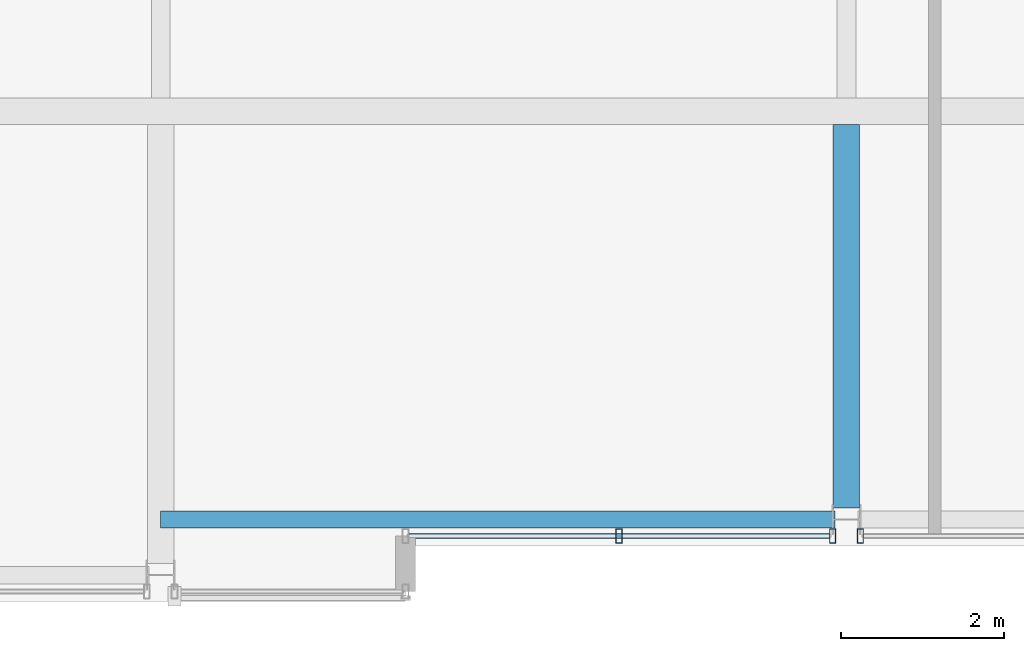
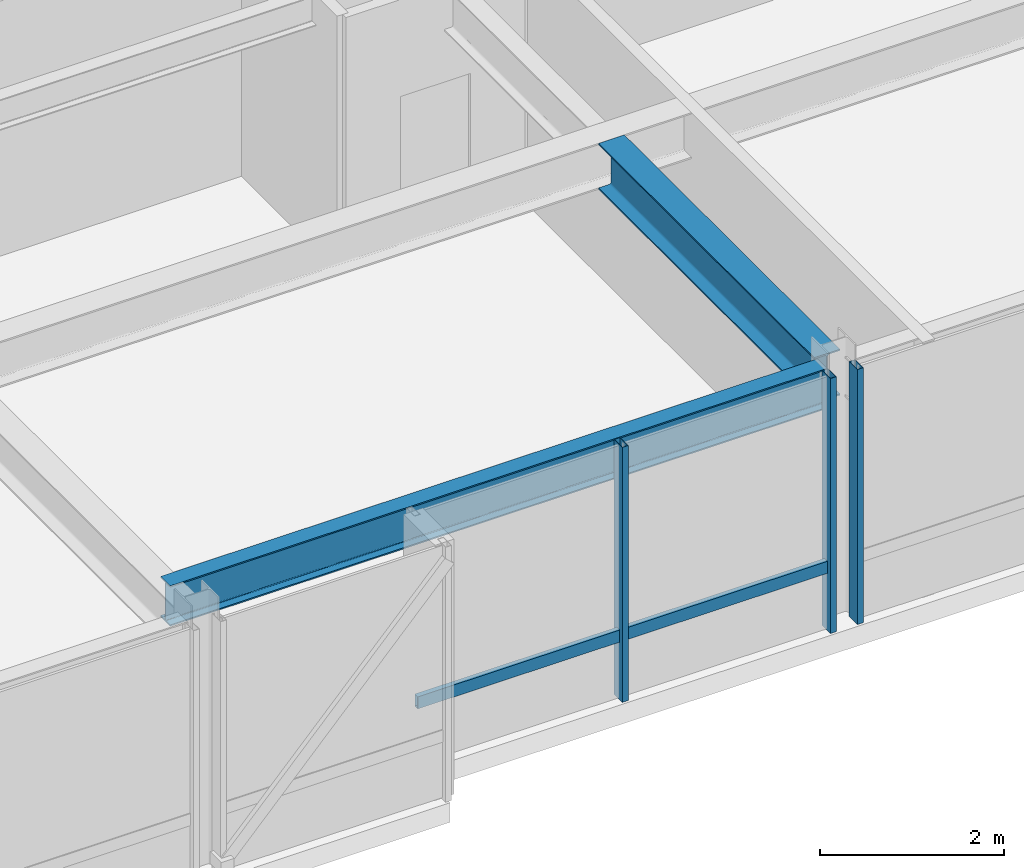
# One storey, part 7 of 33: 4 members, 2 beams, 2 elements without a shape of their own.
"""IFC4 building model written with IfcOpenShell, lengths in metres."""

import ifcopenshell
import ifcopenshell.guid

model = None  # the IFC model being written
_history = None  # IfcOwnerHistory: only IFC2X3 demands one
_inside = {}  # id of a spatial element -> (the spatial element, [elements in it])
_under = {}  # id of a project, library or spatial element -> (it, [spatial elements below it])
_declared = {}  # id of a project -> (the project, [libraries it declares])
_typed = {}  # id of a type object -> (the type object, [elements of that type])
_made_of = {}  # id of a material, layer set ... -> (it, [elements and type objects made of it])


def new_model(schema):
    """Start an empty IFC model of exactly this schema.

    Asked for "IFC4X3", IfcOpenShell would pick the latest addendum, in which some entities
    have other attributes; the version numbers below select the first issue.
    IFC2X3 requires an IfcOwnerHistory on every rooted entity: one is made here for all.
    """
    global model, _history
    if schema == "IFC4X3":
        model = ifcopenshell.file(schema_version=(4, 3, 0, 0))
    else:
        model = ifcopenshell.file(schema=schema)
    _inside.clear()
    _under.clear()
    _declared.clear()
    _typed.clear()
    _made_of.clear()
    _history = None
    if model.schema == "IFC2X3":
        org = make("IfcOrganization", Name="unknown")
        user = make(
            "IfcPersonAndOrganization",
            ThePerson=make("IfcPerson", FamilyName="unknown"),
            TheOrganization=org,
        )
        app = make(
            "IfcApplication",
            ApplicationDeveloper=org,
            Version="unknown",
            ApplicationFullName="unknown",
            ApplicationIdentifier="unknown",
        )
        _history = make(
            "IfcOwnerHistory",
            OwningUser=user,
            OwningApplication=app,
            ChangeAction="ADDED",
            CreationDate=0,
        )
    return model


def make(cls, **values):
    """One entity of the class cls with the attributes given. An attribute that is None is left unset."""
    return model.create_entity(
        cls, **{name: value for name, value in values.items() if value is not None}
    )


def rooted(cls, **values):
    """An entity with a GlobalId (a new one), such as an element, a storey or a relation."""
    return make(cls, GlobalId=ifcopenshell.guid.new(), OwnerHistory=_history, **values)


def si_unit(unit_type, name, prefix=None):
    """IfcSIUnit, for example si_unit("LENGTHUNIT", "METRE", prefix="MILLI")."""
    return make("IfcSIUnit", UnitType=unit_type, Prefix=prefix, Name=name)


def assignment(units):
    """IfcUnitAssignment: the units of a project."""
    return None if units is None else make("IfcUnitAssignment", Units=units)


def point(xyz):
    """IfcCartesianPoint."""
    return None if xyz is None else make("IfcCartesianPoint", Coordinates=xyz)


def direction(xyz):
    """IfcDirection."""
    return None if xyz is None else make("IfcDirection", DirectionRatios=xyz)


def frame(location, z_axis=None, x_axis=None):
    """IfcAxis2Placement3D, a coordinate frame: its origin and axes. An axis left out is left unset."""
    return make(
        "IfcAxis2Placement3D",
        Location=point(location),
        Axis=direction(z_axis),
        RefDirection=direction(x_axis),
    )


def frame_2d(location, x_axis=None):
    """IfcAxis2Placement2D, a coordinate frame in the plane: its origin and x axis."""
    return make(
        "IfcAxis2Placement2D", Location=point(location), RefDirection=direction(x_axis)
    )


def origin():
    """The frame at (0, 0, 0) with its axes left unset."""
    return frame((0.0, 0.0, 0.0))


def origin_2d():
    """The frame at (0, 0) in the plane with its x axis left unset."""
    return frame_2d((0.0, 0.0))


def place(relative_to, where):
    """IfcLocalPlacement: puts the frame where relative to a parent placement (None: the world)."""
    return make(
        "IfcLocalPlacement", PlacementRelTo=relative_to, RelativePlacement=where
    )


def context(
    kind, dimensions, precision=None, world=None, true_north=None, identifier=None
):
    """IfcGeometricRepresentationContext, for example the 3D "Model" context."""
    return make(
        "IfcGeometricRepresentationContext",
        ContextIdentifier=identifier,
        ContextType=kind,
        CoordinateSpaceDimension=dimensions,
        Precision=precision,
        WorldCoordinateSystem=world,
        TrueNorth=true_north,
    )


def subcontext(parent, identifier, kind, view, scale=None):
    """IfcGeometricRepresentationSubContext, for example "Body" below "Model"."""
    return make(
        "IfcGeometricRepresentationSubContext",
        ContextIdentifier=identifier,
        ContextType=kind,
        ParentContext=parent,
        TargetScale=scale,
        TargetView=view,
    )


def project(units=None, contexts=None):
    """IfcProject with its units and contexts."""
    return rooted(
        "IfcProject",
        Name="project",
        RepresentationContexts=contexts,
        UnitsInContext=assignment(units),
    )


def spatial(cls, under=None, at=None, **own):
    """A site, building, storey or space (cls), placed at a placement, below another one or the project."""
    s = rooted(cls, ObjectPlacement=at, **own)
    if under is not None:
        _under.setdefault(under.id(), (under, []))[1].append(s)
    return s


def profile(cls, at=None, kind="AREA", **sizes):
    """A parametric profile (cls). Its sizes go by their IFC names, for example OverallWidth=200.0."""
    return make(cls, ProfileType=kind, Position=at, **sizes)


def hollow_rectangle(**sizes):
    """IfcRectangleHollowProfileDef."""
    return profile("IfcRectangleHollowProfileDef", **sizes)


def i_section(**sizes):
    """IfcIShapeProfileDef."""
    return profile("IfcIShapeProfileDef", **sizes)


def extrude(swept, where, along, depth):
    """IfcExtrudedAreaSolid: the profile swept, set in the frame where, extruded along a direction by depth."""
    return make(
        "IfcExtrudedAreaSolid",
        SweptArea=swept,
        Position=where,
        ExtrudedDirection=direction(along),
        Depth=depth,
    )


def shape(context_of_items, identifier, shape_type, items):
    """IfcShapeRepresentation: the items that make up one representation, for example the "Body"."""
    return make(
        "IfcShapeRepresentation",
        ContextOfItems=context_of_items,
        RepresentationIdentifier=identifier,
        RepresentationType=shape_type,
        Items=items,
    )


def material(Name=None, Category=None):
    """IfcMaterial."""
    return make("IfcMaterial", Name=Name, Category=Category)


def layer(
    of_material, thickness, ventilated=None, Name=None, Category=None, Priority=None
):
    """IfcMaterialLayer: one layer of a wall or slab, of a material (None: an air gap)."""
    return make(
        "IfcMaterialLayer",
        Material=of_material,
        LayerThickness=thickness,
        IsVentilated=ventilated,
        Name=Name,
        Category=Category,
        Priority=Priority,
    )


def layer_set(layers, Name=None):
    """IfcMaterialLayerSet."""
    return make("IfcMaterialLayerSet", MaterialLayers=layers, LayerSetName=Name)


def material_profile(
    of_material, cross_section, Name=None, Category=None, Priority=None
):
    """IfcMaterialProfile: a cross section and its material."""
    return make(
        "IfcMaterialProfile",
        Name=Name,
        Material=of_material,
        Profile=cross_section,
        Priority=Priority,
        Category=Category,
    )


def profile_set(profiles, Name=None, composite=None):
    """IfcMaterialProfileSet."""
    return make(
        "IfcMaterialProfileSet",
        Name=Name,
        MaterialProfiles=profiles,
        CompositeProfile=composite,
    )


def made_of(thing, what):
    """Note that an element or type object is made of a material, layer set ...; save() writes the relation."""
    if what is not None:
        _made_of.setdefault(what.id(), (what, []))[1].append(thing)
    return thing


def type_object(cls, material=None, **own):
    """A type object (cls), such as IfcWallType, which elements share."""
    return made_of(rooted(cls, **own), material)


def element(
    cls,
    number,
    at=None,
    inside=None,
    cuts=None,
    type_object=None,
    material=None,
    context=None,
    identifier="Body",
    shape_type=None,
    held_by="IfcProductDefinitionShape",
    body=None,
    shapes=None,
    **own,
):
    """One element of the class cls, such as IfcWall. Its Tag is "e" and its number.

    at: its placement. inside: the storey or other place that contains it. cuts: it is an
    opening in that element (IfcRelVoidsElement). A single representation is given by context,
    identifier, shape_type and body (its items); several are given by shapes. held_by: the class
    of the entity that holds the representations. save() writes the other relations.
    """
    e = rooted(cls, Tag="e%d" % number, ObjectPlacement=at, **own)
    if body is not None:
        shapes = [shape(context, identifier, shape_type, body)]
    if shapes is not None:
        e.Representation = make(held_by, Representations=shapes)
    if inside is not None:
        _inside.setdefault(inside.id(), (inside, []))[1].append(e)
    if cuts is not None:
        rooted(
            "IfcRelVoidsElement", RelatingBuildingElement=cuts, RelatedOpeningElement=e
        )
    if type_object is not None:
        _typed.setdefault(type_object.id(), (type_object, []))[1].append(e)
    return made_of(e, material)


def aggregate(whole, parts):
    """IfcRelAggregates: a whole, such as a stair, and the parts it consists of."""
    return rooted("IfcRelAggregates", RelatingObject=whole, RelatedObjects=parts)


def save(model, path):
    """Write the relations noted so far, then the file.

    IfcRelAggregates (storeys below a building ...), IfcRelContainedInSpatialStructure (elements
    in a storey), IfcRelDefinesByType, IfcRelAssociatesMaterial and IfcRelDeclares: one each for
    every whole, place, type object, material and project.
    """
    for whole, parts in _under.values():
        aggregate(whole, parts)
    for where, things in _inside.values():
        rooted(
            "IfcRelContainedInSpatialStructure",
            RelatedElements=things,
            RelatingStructure=where,
        )
    for kind, things in _typed.values():
        rooted("IfcRelDefinesByType", RelatedObjects=things, RelatingType=kind)
    for what, things in _made_of.values():
        rooted("IfcRelAssociatesMaterial", RelatedObjects=things, RelatingMaterial=what)
    for by, libraries in _declared.values():
        rooted("IfcRelDeclares", RelatingContext=by, RelatedDefinitions=libraries)
    model.write(path)


model = new_model("IFC4")

# Units and contexts
model_context = context("Model", 3, precision=1e-05, world=origin(), true_north=direction((0.0, 1.0)))
body_context = subcontext(model_context, "Body", "Model", "MODEL_VIEW")
ifc_project = project(units=[si_unit("LENGTHUNIT", "METRE"), si_unit("AREAUNIT", "SQUARE_METRE"), si_unit("VOLUMEUNIT", "CUBIC_METRE"), si_unit("PLANEANGLEUNIT", "RADIAN"), si_unit("MASSUNIT", "GRAM", prefix="KILO")], contexts=[model_context])

# Site, building, storey
site_placement = place(None, origin())
site = spatial("IfcSite", under=ifc_project, at=site_placement, CompositionType="ELEMENT")
building_placement = place(site_placement, origin())
building = spatial("IfcBuilding", under=site, at=building_placement, Name="Drelvath Grand Hotel", CompositionType="ELEMENT")
storey_placement = place(building_placement, frame((0.0, 0.0, 283.25)))
storey = spatial("IfcBuildingStorey", under=building, at=storey_placement, Name="L74", CompositionType="ELEMENT", Elevation=283.25)

# Curtain wall, members
ifc_material_1 = material(Name="Platinum-Mist Anodised Aluminium Frame", Category="aluminium")
ifc_layer = layer(ifc_material_1, 0.199951171875)
ifc_layer_set = layer_set([ifc_layer], Name="Platinum-Mist Anodised Aluminium Frame")
curtain_wall_type = type_object("IfcCurtainWallType", Name="Stick Curtain Wall CW-05 Platinum Mist High-Rise", PredefinedType="NOTDEFINED", material=ifc_layer_set)
curtain_wall_1_placement = place(storey_placement, origin())
curtain_wall_1 = element("IfcCurtainWall", 1, at=curtain_wall_1_placement, inside=storey, type_object=curtain_wall_type, Name="L74 CW-05 Curtain Wall CW05-L74-SM1", PredefinedType="NOTDEFINED")
ifc_material_profile_1 = material_profile(ifc_material_1, hollow_rectangle(XDim=0.06494140625, YDim=0.159912109375, WallThickness=0.00390625, at=origin_2d()), Name="HSS160X65X4")
ifc_profile_set_1 = profile_set([ifc_material_profile_1], Name="Platinum-Mist Anodised Aluminium Frame")
member_type_1 = type_object("IfcMemberType", Name="Curtain Wall Horizontal Transom CW-05 HSS160X65X4", PredefinedType="USERDEFINED", material=ifc_profile_set_1)
member_1_placement = place(storey_placement, frame((-0.210205078125, 5.60009765625, 0.847412109375), z_axis=(-1.0, 0.0, 0.0), x_axis=(0.0, -1.0, 0.0)))
member_1 = element("IfcMember", 2, at=member_1_placement, type_object=member_type_1, Name="CW05-L74-SM1 Sill Transom", ObjectType="TRANSOM", PredefinedType="USERDEFINED", context=body_context, shape_type="SweptSolid", body=[
    extrude(hollow_rectangle(XDim=0.06494140625, YDim=0.159912109375, WallThickness=0.00390625, at=origin_2d()), origin(), (0.0, 0.0, 1.0), 5.14990234375),
])
ifc_material_profile_2 = material_profile(ifc_material_1, hollow_rectangle(XDim=0.074951171875, YDim=0.179931640625, WallThickness=0.0048828125, at=origin_2d()), Name="HSS180X75X5")
ifc_profile_set_2 = profile_set([ifc_material_profile_2], Name="Platinum-Mist Anodised Aluminium Frame")
member_type_2 = type_object("IfcMemberType", Name="Curtain Wall Vertical Mullion CW-05 HSS180X75X5", PredefinedType="MULLION", material=ifc_profile_set_2)
member_2_placement = place(storey_placement, frame((-0.170166015625, 5.60009765625, 0.0), z_axis=(0.0, 0.0, 1.0), x_axis=(1.0, 0.0, 0.0)))
member_2 = element("IfcMember", 3, at=member_2_placement, type_object=member_type_2, Name="CW05-L74-SM1 Mullion 1", PredefinedType="MULLION", context=body_context, shape_type="SweptSolid", body=[
    extrude(hollow_rectangle(XDim=0.074951171875, YDim=0.179931640625, WallThickness=0.0048828125, at=origin_2d()), origin(), (0.0, 0.0, 1.0), 3.389892578125),
])
member_3_placement = place(storey_placement, frame((-2.78515625, 5.60009765625, 0.0), z_axis=(0.0, 0.0, 1.0), x_axis=(1.0, 0.0, 0.0)))
member_3 = element("IfcMember", 4, at=member_3_placement, type_object=member_type_2, Name="CW05-L74-SM1 Mullion 2", PredefinedType="MULLION", context=body_context, shape_type="SweptSolid", body=[
    extrude(hollow_rectangle(XDim=0.074951171875, YDim=0.179931640625, WallThickness=0.0048828125, at=origin_2d()), origin(), (0.0, 0.0, 1.0), 3.389892578125),
])
aggregate(curtain_wall_1, [member_2, member_3, member_1])

# Curtain wall, member
curtain_wall_2_placement = place(storey_placement, origin())
curtain_wall_2 = element("IfcCurtainWall", 5, at=curtain_wall_2_placement, inside=storey, type_object=curtain_wall_type, Name="L74 CW-05 Curtain Wall CW05-L74-SM2", PredefinedType="NOTDEFINED")
member_4_placement = place(storey_placement, frame((0.170166015625, 5.60009765625, 0.0), z_axis=(0.0, 0.0, 1.0), x_axis=(1.0, 0.0, 0.0)))
member_4 = element("IfcMember", 6, at=member_4_placement, type_object=member_type_2, Name="CW05-L74-SM2 Mullion 3", PredefinedType="MULLION", context=body_context, shape_type="SweptSolid", body=[
    extrude(hollow_rectangle(XDim=0.074951171875, YDim=0.179931640625, WallThickness=0.0048828125, at=origin_2d()), origin(), (0.0, 0.0, 1.0), 3.389892578125),
])
aggregate(curtain_wall_2, [member_4])

# Beams
ifc_material_2 = material(Name="Steel ASTM A992 Gr 50", Category="steel")
ifc_material_profile_3 = material_profile(ifc_material_2, i_section(OverallWidth=0.210205078125, OverallDepth=0.53662109375, WebThickness=0.010986328125, FlangeThickness=0.017333984375, FilletRadius=0.01806640625, at=origin_2d()), Name="W21X68")
ifc_profile_set_3 = profile_set([ifc_material_profile_3], Name="Steel ASTM A992 Gr 50")
beam_type_1 = type_object("IfcBeamType", Name="Perimeter Spandrel Beam W21X68", PredefinedType="SPANDREL", material=ifc_profile_set_3)
beam_1_placement = place(storey_placement, frame((-8.39990234375, 5.800048828125, 3.12158203125), z_axis=(1.0, 0.0, 0.0), x_axis=(0.0, 1.0, 0.0)))
element("IfcBeam", 7, at=beam_1_placement, inside=storey, type_object=beam_type_1, Name="L74 Spandrel South Mid W", PredefinedType="SPANDREL", context=body_context, shape_type="SweptSolid", body=[
    extrude(i_section(OverallWidth=0.210205078125, OverallDepth=0.53662109375, WebThickness=0.010986328125, FlangeThickness=0.017333984375, FilletRadius=0.01806640625, at=origin_2d()), origin(), (0.0, 0.0, 1.0), 8.260009765625),
])
ifc_material_profile_4 = material_profile(ifc_material_2, i_section(OverallWidth=0.323974609375, OverallDepth=0.611083984375, WebThickness=0.0126953125, FlangeThickness=0.01904296875, FilletRadius=0.02197265625, at=origin_2d()), Name="W24X104")
ifc_profile_set_4 = profile_set([ifc_material_profile_4], Name="Steel ASTM A992 Gr 50")
beam_type_2 = type_object("IfcBeamType", Name="Primary Floor Girder W24X104", PredefinedType="BEAM", material=ifc_profile_set_4)
beam_2_placement = place(storey_placement, frame((0.0, 5.93994140625, 3.08447265625), z_axis=(0.0, 1.0, 0.0), x_axis=(-1.0, 0.0, 0.0)))
element("IfcBeam", 8, at=beam_2_placement, inside=storey, type_object=beam_type_2, Name="L74 South Wing Girder 5", PredefinedType="BEAM", context=body_context, shape_type="SweptSolid", body=[
    extrude(i_section(OverallWidth=0.323974609375, OverallDepth=0.611083984375, WebThickness=0.0126953125, FlangeThickness=0.01904296875, FilletRadius=0.02197265625, at=origin_2d()), origin(), (0.0, 0.0, 1.0), 4.697998046875),
])

save(model, "model.ifc")
